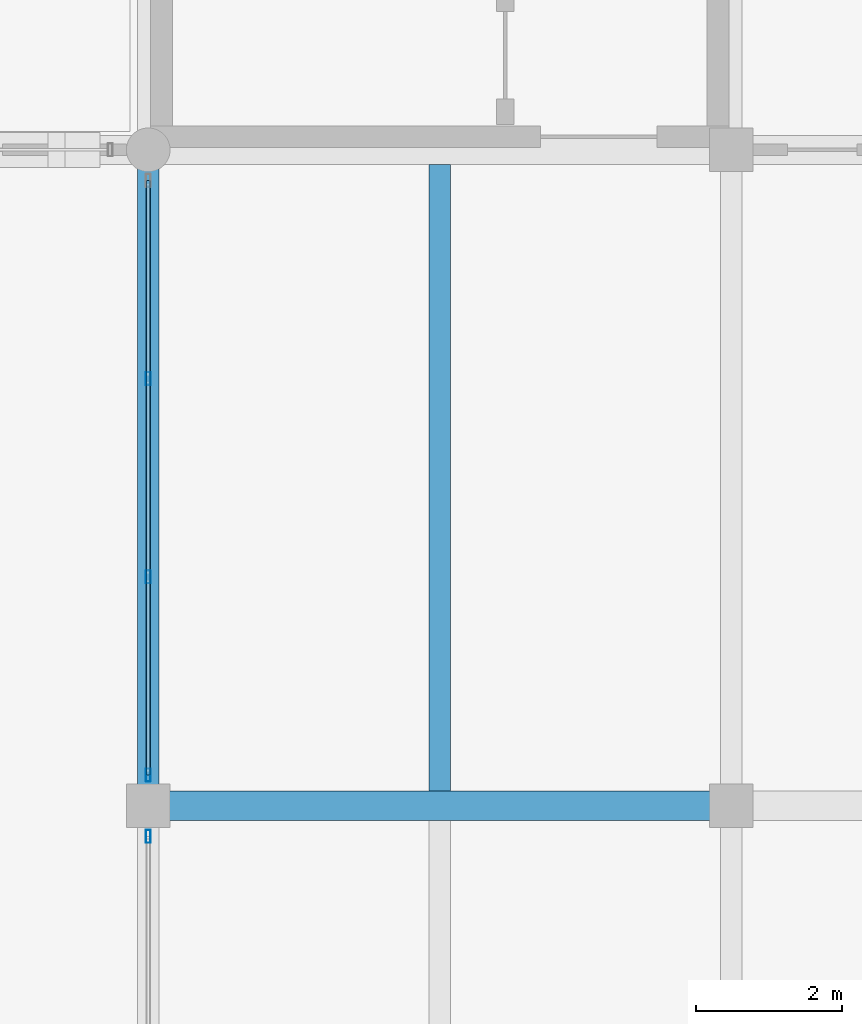
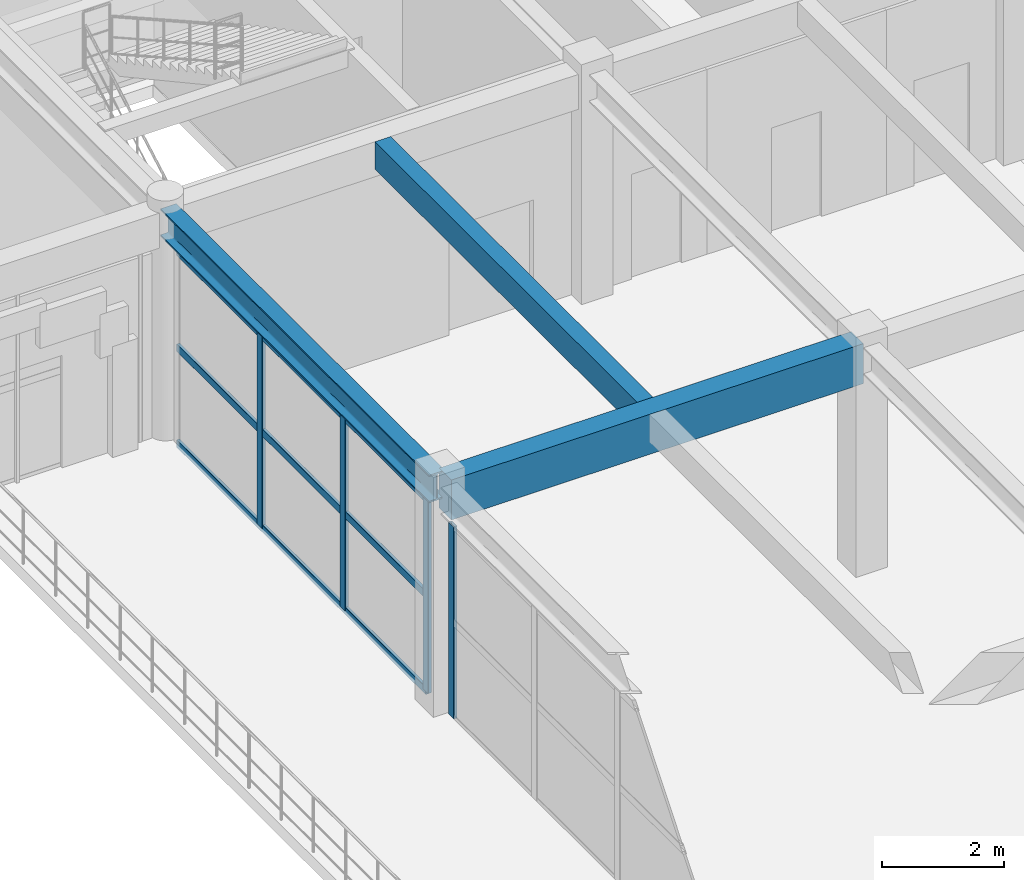
# One storey, part 69 of 144: 7 members, 3 beams, 2 elements without a shape of their own.
"""IFC4 building model written with IfcOpenShell, lengths in metres."""

from ifc_helpers import new_model, si_unit, direction, frame, origin, origin_2d, place, context, subcontext, project, spatial, rectangle, hollow_rectangle, i_section, extrude, material, material_profile, profile_set, type_object, element, aggregate, save


model = new_model("IFC4")

# Units and contexts
model_context = context("Model", 3, precision=1e-05, world=origin(), true_north=direction((0.0, 1.0)))
body_context = subcontext(model_context, "Body", "Model", "MODEL_VIEW")
ifc_project = project(units=[si_unit("LENGTHUNIT", "METRE"), si_unit("AREAUNIT", "SQUARE_METRE"), si_unit("VOLUMEUNIT", "CUBIC_METRE"), si_unit("PLANEANGLEUNIT", "RADIAN"), si_unit("MASSUNIT", "GRAM", prefix="KILO")], contexts=[model_context])

# Site, building, storey
site_placement = place(None, origin())
site = spatial("IfcSite", under=ifc_project, at=site_placement, CompositionType="ELEMENT")
building_placement = place(site_placement, origin())
building = spatial("IfcBuilding", under=site, at=building_placement, Name="Varnabhumi Central Station", CompositionType="ELEMENT")
storey_placement = place(building_placement, frame((0.0, 0.0, 4.800048828125)))
storey = spatial("IfcBuildingStorey", under=building, at=storey_placement, Name="L01", CompositionType="ELEMENT", Elevation=4.800048828125)

# Beams
ifc_material_1 = material(Name="Concrete M40", Category="concrete")
ifc_material_profile_1 = material_profile(ifc_material_1, rectangle(XDim=0.300048828125, YDim=0.550048828125, at=origin_2d()), Name="Concrete M40", Category="concrete")
ifc_profile_set_1 = profile_set([ifc_material_profile_1], Name="Concrete M40")
beam_type_1 = type_object("IfcBeamType", Name="BM-RC-300x550", PredefinedType="JOIST", material=ifc_profile_set_1)
beam_1_placement = place(storey_placement, frame((84.0, 98.199951171875, 4.27490234375), z_axis=(0.0, 1.0, 0.0), x_axis=(-1.0, 0.0, 0.0)))
element("IfcBeam", 1, at=beam_1_placement, inside=storey, type_object=beam_type_1, Name="Secondary Joist L01-11/12:M-N", PredefinedType="JOIST", context=body_context, shape_type="SweptSolid", body=[
    extrude(rectangle(XDim=0.300048828125, YDim=0.550048828125, at=origin_2d()), origin(), (0.0, 0.0, 1.0), 8.60009765625),
])
ifc_material_profile_2 = material_profile(ifc_material_1, rectangle(XDim=0.39990234375, YDim=0.800048828125, at=origin_2d()), Name="Concrete M40", Category="concrete")
ifc_profile_set_2 = profile_set([ifc_material_profile_2], Name="Concrete M40")
beam_type_2 = type_object("IfcBeamType", Name="BM-RC-400x800", PredefinedType="BEAM", material=ifc_profile_set_2)
beam_2_placement = place(storey_placement, frame((80.10009765625, 98.0, 4.14990234375), z_axis=(1.0, 0.0, 0.0), x_axis=(0.0, 1.0, 0.0)))
element("IfcBeam", 2, at=beam_2_placement, inside=storey, type_object=beam_type_2, Name="Beam L01-M:11-12", PredefinedType="BEAM", context=body_context, shape_type="SweptSolid", body=[
    extrude(rectangle(XDim=0.39990234375, YDim=0.800048828125, at=origin_2d()), origin(), (0.0, 0.0, 1.0), 7.7998046875),
])
ifc_material_2 = material(Name="Structural steel E350", Category="steel")
ifc_material_profile_3 = material_profile(ifc_material_2, i_section(OverallWidth=0.300048828125, OverallDepth=0.550048828125, WebThickness=0.014892578125, FlangeThickness=0.029052734375, FilletRadius=0.027099609375, at=origin_2d()), Name="Structural steel E350", Category="steel")
ifc_profile_set_3 = profile_set([ifc_material_profile_3], Name="Structural steel E350")
beam_type_3 = type_object("IfcBeamType", Name="BM-STL-WPB550", PredefinedType="BEAM", material=ifc_profile_set_3)
beam_3_placement = place(storey_placement, frame((80.0, 98.10009765625, 4.27490234375), z_axis=(0.0, 1.0, 0.0), x_axis=(-1.0, 0.0, 0.0)))
element("IfcBeam", 3, at=beam_3_placement, inside=storey, type_object=beam_type_3, Name="Beam L01-11:M-N", PredefinedType="BEAM", context=body_context, shape_type="SweptSolid", body=[
    extrude(i_section(OverallWidth=0.300048828125, OverallDepth=0.550048828125, WebThickness=0.014892578125, FlangeThickness=0.029052734375, FilletRadius=0.027099609375, at=origin_2d()), origin(), (0.0, 0.0, 1.0), 8.7998046875),
])

# Curtain wall, member
ifc_material_3 = material(Name="Anodised aluminium 6063-T6", Category="aluminium")
curtain_wall_type = type_object("IfcCurtainWallType", Name="CW-PATIO-LOGGIA-L1", PredefinedType="NOTDEFINED", material=ifc_material_3)
curtain_wall_1_placement = place(storey_placement, origin())
curtain_wall_1 = element("IfcCurtainWall", 4, at=curtain_wall_1_placement, inside=storey, type_object=curtain_wall_type, Name="Curtain Wall CW-NP1W1", PredefinedType="NOTDEFINED")
ifc_material_profile_4 = material_profile(ifc_material_3, hollow_rectangle(XDim=0.06494140625, YDim=0.179931640625, WallThickness=0.00390625, InnerFilletRadius=0.001953125, OuterFilletRadius=0.006103515625, at=origin_2d()), Name="Anodised aluminium 6063-T6", Category="aluminium")
ifc_profile_set_4 = profile_set([ifc_material_profile_4], Name="Anodised aluminium 6063-T6")
member_type_1 = type_object("IfcMemberType", Name="CW-MUL-180", PredefinedType="MULLION", material=ifc_profile_set_4)
member_1_placement = place(storey_placement, frame((80.0, 97.580078125, 0.0), z_axis=(0.0, 0.0, 1.0), x_axis=(1.0, 0.0, 0.0)))
member_1 = element("IfcMember", 5, at=member_1_placement, type_object=member_type_1, Name="Curtain Wall Mullion CW-NP1W1-M4", PredefinedType="MULLION", context=body_context, shape_type="SweptSolid", body=[
    extrude(hollow_rectangle(XDim=0.06494140625, YDim=0.179931640625, WallThickness=0.00390625, InnerFilletRadius=0.001953125, OuterFilletRadius=0.006103515625, at=origin_2d()), origin(), (0.0, 0.0, 1.0), 3.83984375),
])
aggregate(curtain_wall_1, [member_1])

# Curtain wall, members
curtain_wall_2_placement = place(storey_placement, origin())
curtain_wall_2 = element("IfcCurtainWall", 6, at=curtain_wall_2_placement, inside=storey, type_object=curtain_wall_type, Name="Curtain Wall CW-NP1W2", PredefinedType="NOTDEFINED")
member_2_placement = place(storey_placement, frame((80.0, 98.419921875, 0.0), z_axis=(0.0, 0.0, 1.0), x_axis=(1.0, 0.0, 0.0)))
member_2 = element("IfcMember", 7, at=member_2_placement, type_object=member_type_1, Name="Curtain Wall Mullion CW-NP1W2-M1", PredefinedType="MULLION", context=body_context, shape_type="SweptSolid", body=[
    extrude(hollow_rectangle(XDim=0.06494140625, YDim=0.179931640625, WallThickness=0.00390625, InnerFilletRadius=0.001953125, OuterFilletRadius=0.006103515625, at=origin_2d()), origin(), (0.0, 0.0, 1.0), 3.83984375),
])
member_3_placement = place(storey_placement, frame((80.0, 101.139892578125, 0.0), z_axis=(0.0, 0.0, 1.0), x_axis=(1.0, 0.0, 0.0)))
member_3 = element("IfcMember", 8, at=member_3_placement, type_object=member_type_1, Name="Curtain Wall Mullion CW-NP1W2-M2", PredefinedType="MULLION", context=body_context, shape_type="SweptSolid", body=[
    extrude(hollow_rectangle(XDim=0.06494140625, YDim=0.179931640625, WallThickness=0.00390625, InnerFilletRadius=0.001953125, OuterFilletRadius=0.006103515625, at=origin_2d()), origin(), (0.0, 0.0, 1.0), 3.83984375),
])
member_4_placement = place(storey_placement, frame((80.0, 103.860107421875, 0.0), z_axis=(0.0, 0.0, 1.0), x_axis=(1.0, 0.0, 0.0)))
member_4 = element("IfcMember", 9, at=member_4_placement, type_object=member_type_1, Name="Curtain Wall Mullion CW-NP1W2-M3", PredefinedType="MULLION", context=body_context, shape_type="SweptSolid", body=[
    extrude(hollow_rectangle(XDim=0.06494140625, YDim=0.179931640625, WallThickness=0.00390625, InnerFilletRadius=0.001953125, OuterFilletRadius=0.006103515625, at=origin_2d()), origin(), (0.0, 0.0, 1.0), 3.83984375),
])
ifc_material_profile_5 = material_profile(ifc_material_3, hollow_rectangle(XDim=0.06005859375, YDim=0.14990234375, WallThickness=0.00390625, InnerFilletRadius=0.001953125, OuterFilletRadius=0.006103515625, at=origin_2d()), Name="Anodised aluminium 6063-T6", Category="aluminium")
ifc_profile_set_5 = profile_set([ifc_material_profile_5], Name="Anodised aluminium 6063-T6")
member_type_2 = type_object("IfcMemberType", Name="CW-TR-150", PredefinedType="USERDEFINED", material=ifc_profile_set_5)
member_5_placement = place(storey_placement, frame((80.0, 98.419921875, 0.0), z_axis=(0.0, 1.0, 0.0), x_axis=(-1.0, 0.0, 0.0)))
member_5 = element("IfcMember", 10, at=member_5_placement, type_object=member_type_2, Name="Curtain Wall Transom CW-NP1W2-T1", ObjectType="TRANSOM", PredefinedType="USERDEFINED", context=body_context, shape_type="SweptSolid", body=[
    extrude(hollow_rectangle(XDim=0.06005859375, YDim=0.14990234375, WallThickness=0.00390625, InnerFilletRadius=0.001953125, OuterFilletRadius=0.006103515625, at=origin_2d()), origin(), (0.0, 0.0, 1.0), 8.16015625),
])
member_6_placement = place(storey_placement, frame((80.0, 98.419921875, 1.919921875), z_axis=(0.0, 1.0, 0.0), x_axis=(-1.0, 0.0, 0.0)))
member_6 = element("IfcMember", 11, at=member_6_placement, type_object=member_type_2, Name="Curtain Wall Transom CW-NP1W2-T2", ObjectType="TRANSOM", PredefinedType="USERDEFINED", context=body_context, shape_type="SweptSolid", body=[
    extrude(hollow_rectangle(XDim=0.06005859375, YDim=0.14990234375, WallThickness=0.00390625, InnerFilletRadius=0.001953125, OuterFilletRadius=0.006103515625, at=origin_2d()), origin(), (0.0, 0.0, 1.0), 8.16015625),
])
member_7_placement = place(storey_placement, frame((80.0, 98.419921875, 3.83984375), z_axis=(0.0, 1.0, 0.0), x_axis=(-1.0, 0.0, 0.0)))
member_7 = element("IfcMember", 12, at=member_7_placement, type_object=member_type_2, Name="Curtain Wall Transom CW-NP1W2-T3", ObjectType="TRANSOM", PredefinedType="USERDEFINED", context=body_context, shape_type="SweptSolid", body=[
    extrude(hollow_rectangle(XDim=0.06005859375, YDim=0.14990234375, WallThickness=0.00390625, InnerFilletRadius=0.001953125, OuterFilletRadius=0.006103515625, at=origin_2d()), origin(), (0.0, 0.0, 1.0), 8.16015625),
])
aggregate(curtain_wall_2, [member_2, member_3, member_4, member_5, member_6, member_7])

save(model, "model.ifc")
